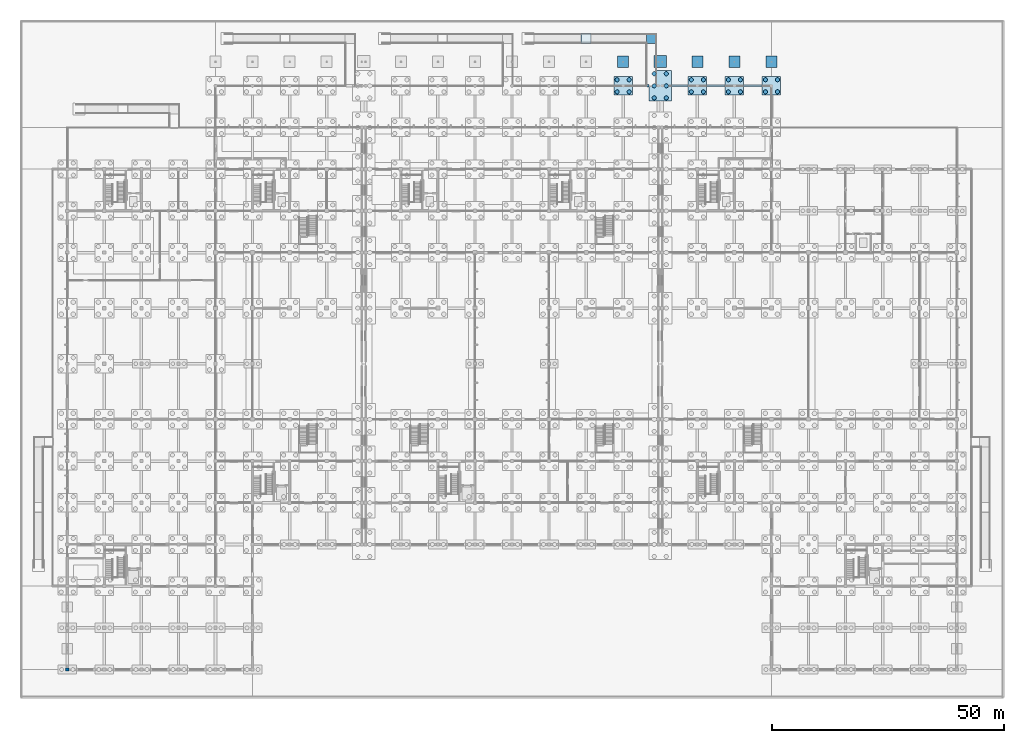
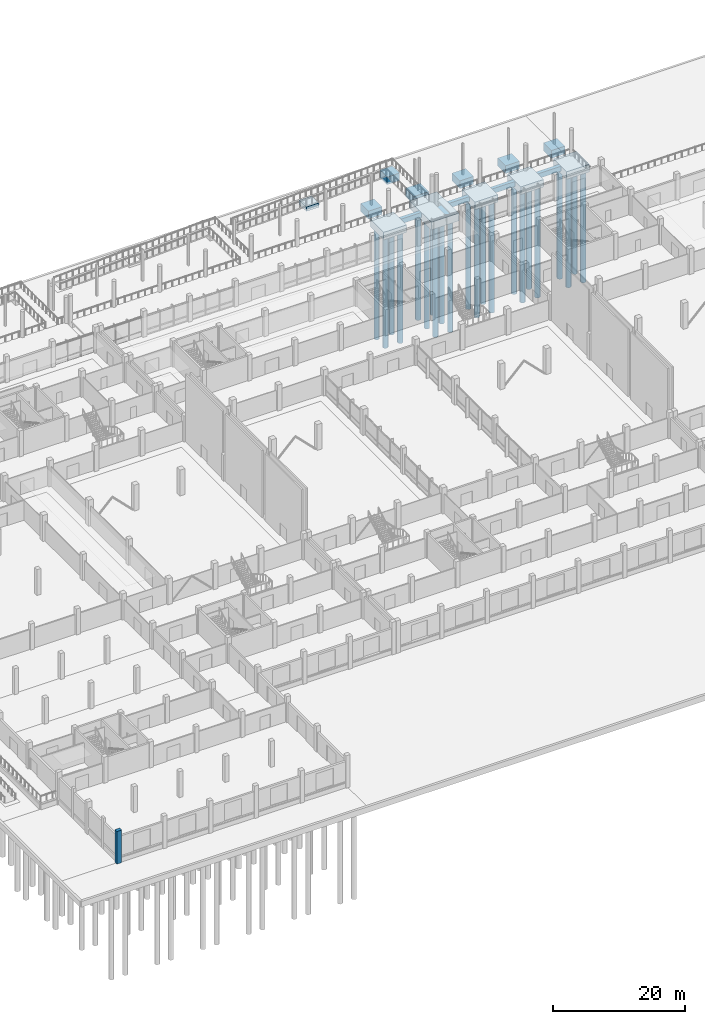
# One storey, part 12 of 72: 22 piles, 16 footings, 1 column.
"""IFC4 building model written with IfcOpenShell, lengths in metres."""

from ifc_helpers import new_model, si_unit, direction, frame, origin, origin_2d, place, context, subcontext, project, spatial, rectangle, circle, extrude, material, material_profile, profile_set, type_object, element, save


model = new_model("IFC4")

# Units and contexts
model_context = context("Model", 3, precision=1e-05, world=origin(), true_north=direction((0.0, 1.0)))
body_context = subcontext(model_context, "Body", "Model", "MODEL_VIEW")
ifc_project = project(units=[si_unit("LENGTHUNIT", "METRE"), si_unit("AREAUNIT", "SQUARE_METRE"), si_unit("VOLUMEUNIT", "CUBIC_METRE"), si_unit("PLANEANGLEUNIT", "RADIAN"), si_unit("MASSUNIT", "GRAM", prefix="KILO"), si_unit("THERMODYNAMICTEMPERATUREUNIT", "KELVIN"), si_unit("POWERUNIT", "WATT")], contexts=[model_context])

# Site, building, storey
site_placement = place(None, origin())
site = spatial("IfcSite", under=ifc_project, at=site_placement, CompositionType="ELEMENT")
building_placement = place(site_placement, origin())
building = spatial("IfcBuilding", under=site, at=building_placement, Name="Kronsvod Quay Wholesale Market", CompositionType="ELEMENT")
storey_placement = place(building_placement, origin())
storey = spatial("IfcBuildingStorey", under=building, at=storey_placement, Name="L00", CompositionType="ELEMENT", Elevation=0.0)

# Footings
ifc_material_1 = material(Name="Concrete C35/45", Category="concrete")
footing_type_1 = type_object("IfcFootingType", Name="Cap_PC4A", PredefinedType="PILE_CAP", material=ifc_material_1)
for number, where, z_axis, x_axis, name in (
    (1, (120.0, 126.0, -2.64990234375), (0.0, 0.0, 1.0), (1.0, 0.0, 0.0), "CAP-187"),
    (2, (136.0, 126.0, -2.64990234375), (0.0, 0.0, 1.0), (1.0, 0.0, 0.0), "CAP-197"),
    (3, (144.0, 126.0, -2.64990234375), (0.0, 0.0, 1.0), (1.0, 0.0, 0.0), "CAP-207"),
    (4, (152.0, 126.0, -2.64990234375), (0.0, 0.0, 1.0), (1.0, 0.0, 0.0), "CAP-220"),
):
    element("IfcFooting", number, at=place(storey_placement, frame(where, z_axis=z_axis, x_axis=x_axis)), inside=storey, type_object=footing_type_1, Name=name, PredefinedType="PILE_CAP", context=body_context, shape_type="SweptSolid", body=[
        extrude(rectangle(XDim=4.0, YDim=4.0, at=origin_2d()), origin(), (0.0, 0.0, 1.0), 1.39990234375),
    ])
ifc_material_2 = material(Name="Concrete C35/45", Category="concrete")
footing_type_2 = type_object("IfcFootingType", Name="Cap_PC6J", PredefinedType="PILE_CAP", material=ifc_material_2)
footing_1_placement = place(storey_placement, frame((128.0, 126.0, -2.64990234375), z_axis=(0.0, 0.0, 1.0), x_axis=(1.0, 0.0, 0.0)))
element("IfcFooting", 5, at=footing_1_placement, inside=storey, type_object=footing_type_2, Name="CAP-J020", PredefinedType="PILE_CAP", context=body_context, shape_type="SweptSolid", body=[
    extrude(rectangle(XDim=4.800048828125, YDim=6.60009765625, at=origin_2d()), origin(), (0.0, 0.0, 1.0), 1.39990234375),
])
ifc_material_3 = material(Name="Concrete C35/45", Category="concrete")
ifc_material_profile_1 = material_profile(ifc_material_3, rectangle(XDim=0.60009765625, YDim=0.89990234375, at=origin_2d()), Name="FB-02")
ifc_profile_set_1 = profile_set([ifc_material_profile_1], Name="Concrete C35/45")
footing_type_3 = type_object("IfcFootingType", Name="FootingBeam_600x900", PredefinedType="FOOTING_BEAM", material=ifc_profile_set_1)
for number, where, z_axis, x_axis, name in (
    (6, (122.0, 126.0, -1.699951171875), (1.0, 0.0, 0.0), (0.0, 1.0, 0.0), "FB-X-0266"),
    (7, (130.39990234375, 126.0, -1.699951171875), (1.0, 0.0, 0.0), (0.0, 1.0, 0.0), "FB-X-0425"),
):
    element("IfcFooting", number, at=place(storey_placement, frame(where, z_axis=z_axis, x_axis=x_axis)), inside=storey, type_object=footing_type_3, Name=name, PredefinedType="FOOTING_BEAM", context=body_context, shape_type="SweptSolid", body=[
        extrude(rectangle(XDim=0.60009765625, YDim=0.89990234375, at=origin_2d()), origin(), (0.0, 0.0, 1.0), 3.60009765625),
    ])
for number, where, z_axis, x_axis, name in (
    (8, (138.0, 126.0, -1.699951171875), (1.0, 0.0, 0.0), (0.0, 1.0, 0.0), "FB-X-0426"),
    (9, (146.0, 126.0, -1.699951171875), (1.0, 0.0, 0.0), (0.0, 1.0, 0.0), "FB-X-0427"),
):
    element("IfcFooting", number, at=place(storey_placement, frame(where, z_axis=z_axis, x_axis=x_axis)), inside=storey, type_object=footing_type_3, Name=name, PredefinedType="FOOTING_BEAM", context=body_context, shape_type="SweptSolid", body=[
        extrude(rectangle(XDim=0.60009765625, YDim=0.89990234375, at=origin_2d()), origin(), (0.0, 0.0, 1.0), 4.0),
    ])
ifc_material_4 = material(Name="Concrete C35/45", Category="concrete")
footing_type_4 = type_object("IfcFootingType", Name="Pad_PF2", PredefinedType="PAD_FOOTING", material=ifc_material_4)
footing_2_placement = place(storey_placement, frame((128.0, 131.199951171875, -2.7001953125), z_axis=(0.0, 0.0, 1.0), x_axis=(1.0, 0.0, 0.0)))
element("IfcFooting", 10, at=footing_2_placement, inside=storey, type_object=footing_type_4, Name="PAD-12", PredefinedType="PAD_FOOTING", context=body_context, shape_type="SweptSolid", body=[
    extrude(rectangle(XDim=2.60009765625, YDim=2.60009765625, at=origin_2d()), origin(), (0.0, 0.0, 1.0), 1.449951171875),
])
for number, where, z_axis, x_axis, name in (
    (11, (120.0, 131.199951171875, -2.7001953125), (0.0, 0.0, 1.0), (1.0, 0.0, 0.0), "PAD-23"),
    (12, (136.0, 131.199951171875, -2.7001953125), (0.0, 0.0, 1.0), (1.0, 0.0, 0.0), "PAD-24"),
    (13, (144.0, 131.199951171875, -2.7001953125), (0.0, 0.0, 1.0), (1.0, 0.0, 0.0), "PAD-25"),
    (14, (152.0, 131.199951171875, -2.7001953125), (0.0, 0.0, 1.0), (1.0, 0.0, 0.0), "PAD-26"),
):
    element("IfcFooting", number, at=place(storey_placement, frame(where, z_axis=z_axis, x_axis=x_axis)), inside=storey, type_object=footing_type_4, Name=name, PredefinedType="PAD_FOOTING", context=body_context, shape_type="SweptSolid", body=[
        extrude(rectangle(XDim=2.39990234375, YDim=2.39990234375, at=origin_2d()), origin(), (0.0, 0.0, 1.0), 1.449951171875),
    ])
ifc_material_5 = material(Name="Concrete C35/45", Category="concrete")
footing_type_5 = type_object("IfcFootingType", Name="Pad_PFRamp", PredefinedType="PAD_FOOTING", material=ifc_material_5)
footing_3_placement = place(storey_placement, frame((112.0, 136.199951171875, -1.60009765625), z_axis=(0.0, 0.0, 1.0), x_axis=(1.0, 0.0, 0.0)))
element("IfcFooting", 15, at=footing_3_placement, inside=storey, type_object=footing_type_5, Name="RMP-N03-PIER1", PredefinedType="PAD_FOOTING", context=body_context, shape_type="SweptSolid", body=[
    extrude(rectangle(XDim=2.199951171875, YDim=2.199951171875, at=origin_2d()), origin(), (0.0, 0.0, 1.0), 0.780029296875),
])
footing_4_placement = place(storey_placement, frame((126.10009765625, 136.199951171875, -1.599853515625), z_axis=(0.0, 0.0, 1.0), x_axis=(1.0, 0.0, 0.0)))
element("IfcFooting", 16, at=footing_4_placement, inside=storey, type_object=footing_type_5, Name="RMP-N03-PIER2", PredefinedType="PAD_FOOTING", context=body_context, shape_type="SweptSolid", body=[
    extrude(rectangle(XDim=2.199951171875, YDim=2.199951171875, at=origin_2d()), origin(), (0.0, 0.0, 1.0), 1.3798828125),
])

# Piles
ifc_material_6 = material(Name="Concrete C35/45", Category="concrete")
ifc_material_profile_2 = material_profile(ifc_material_6, circle(Radius=0.449951171875, at=origin_2d()), Name="PILE900")
ifc_profile_set_2 = profile_set([ifc_material_profile_2], Name="Concrete C35/45")
pile_type = type_object("IfcPileType", Name="Pile_PILE900", PredefinedType="BORED", material=ifc_profile_set_2)
for number, where, z_axis, x_axis, name in (
    (17, (126.699951171875, 123.39990234375, -2.64990234375), (0.0, 0.0, -1.0), (1.0, 0.0, 0.0), "PILE-0115"),
    (18, (126.699951171875, 126.0, -2.64990234375), (0.0, 0.0, -1.0), (1.0, 0.0, 0.0), "PILE-0116"),
    (19, (126.699951171875, 128.60009765625, -2.64990234375), (0.0, 0.0, -1.0), (1.0, 0.0, 0.0), "PILE-0117"),
    (20, (129.300048828125, 123.39990234375, -2.64990234375), (0.0, 0.0, -1.0), (1.0, 0.0, 0.0), "PILE-0118"),
    (21, (129.300048828125, 126.0, -2.64990234375), (0.0, 0.0, -1.0), (1.0, 0.0, 0.0), "PILE-0119"),
    (22, (129.300048828125, 128.60009765625, -2.64990234375), (0.0, 0.0, -1.0), (1.0, 0.0, 0.0), "PILE-0120"),
    (23, (118.699951171875, 124.699951171875, -2.64990234375), (0.0, 0.0, -1.0), (1.0, 0.0, 0.0), "PILE-0733"),
    (24, (118.699951171875, 127.300048828125, -2.64990234375), (0.0, 0.0, -1.0), (1.0, 0.0, 0.0), "PILE-0734"),
    (25, (121.300048828125, 124.699951171875, -2.64990234375), (0.0, 0.0, -1.0), (1.0, 0.0, 0.0), "PILE-0735"),
    (26, (121.300048828125, 127.300048828125, -2.64990234375), (0.0, 0.0, -1.0), (1.0, 0.0, 0.0), "PILE-0736"),
    (27, (134.699951171875, 124.699951171875, -2.64990234375), (0.0, 0.0, -1.0), (1.0, 0.0, 0.0), "PILE-0771"),
    (28, (134.699951171875, 127.300048828125, -2.64990234375), (0.0, 0.0, -1.0), (1.0, 0.0, 0.0), "PILE-0772"),
    (29, (137.300048828125, 124.699951171875, -2.64990234375), (0.0, 0.0, -1.0), (1.0, 0.0, 0.0), "PILE-0773"),
    (30, (137.300048828125, 127.300048828125, -2.64990234375), (0.0, 0.0, -1.0), (1.0, 0.0, 0.0), "PILE-0774"),
    (31, (142.699951171875, 124.699951171875, -2.64990234375), (0.0, 0.0, -1.0), (1.0, 0.0, 0.0), "PILE-0809"),
    (32, (142.699951171875, 127.300048828125, -2.64990234375), (0.0, 0.0, -1.0), (1.0, 0.0, 0.0), "PILE-0810"),
    (33, (145.300048828125, 124.699951171875, -2.64990234375), (0.0, 0.0, -1.0), (1.0, 0.0, 0.0), "PILE-0811"),
    (34, (145.300048828125, 127.300048828125, -2.64990234375), (0.0, 0.0, -1.0), (1.0, 0.0, 0.0), "PILE-0812"),
    (35, (150.699951171875, 124.699951171875, -2.64990234375), (0.0, 0.0, -1.0), (1.0, 0.0, 0.0), "PILE-0857"),
    (36, (150.699951171875, 127.300048828125, -2.64990234375), (0.0, 0.0, -1.0), (1.0, 0.0, 0.0), "PILE-0858"),
    (37, (153.300048828125, 124.699951171875, -2.64990234375), (0.0, 0.0, -1.0), (1.0, 0.0, 0.0), "PILE-0859"),
    (38, (153.300048828125, 127.300048828125, -2.64990234375), (0.0, 0.0, -1.0), (1.0, 0.0, 0.0), "PILE-0860"),
):
    element("IfcPile", number, at=place(storey_placement, frame(where, z_axis=z_axis, x_axis=x_axis)), inside=storey, type_object=pile_type, Name=name, PredefinedType="BORED", context=body_context, shape_type="SweptSolid", body=[
        extrude(circle(Radius=0.449951171875, at=origin_2d()), origin(), (0.0, 0.0, 1.0), 20.39990234375),
    ])

# Column
ifc_material_7 = material(Name="Precast concrete C40/50", Category="concrete")
ifc_material_profile_3 = material_profile(ifc_material_7, rectangle(XDim=0.820068359375, YDim=0.6201171875, at=origin_2d()), Name="COL-10")
ifc_profile_set_3 = profile_set([ifc_material_profile_3], Name="Precast concrete C40/50")
column_type = type_object("IfcColumnType", Name="Col_PCC820x620", PredefinedType="COLUMN", material=ifc_profile_set_3)
column_placement = place(storey_placement, frame((0.0, 0.0, -1.25), z_axis=(0.0, 0.0, 1.0), x_axis=(1.0, 0.0, 0.0)))
element("IfcColumn", 39, at=column_placement, inside=storey, type_object=column_type, Name="COLG-L00-0-0", PredefinedType="COLUMN", context=body_context, shape_type="SweptSolid", body=[
    extrude(rectangle(XDim=0.820068359375, YDim=0.6201171875, at=origin_2d()), origin(), (0.0, 0.0, 1.0), 6.050048828125),
])

save(model, "model.ifc")
